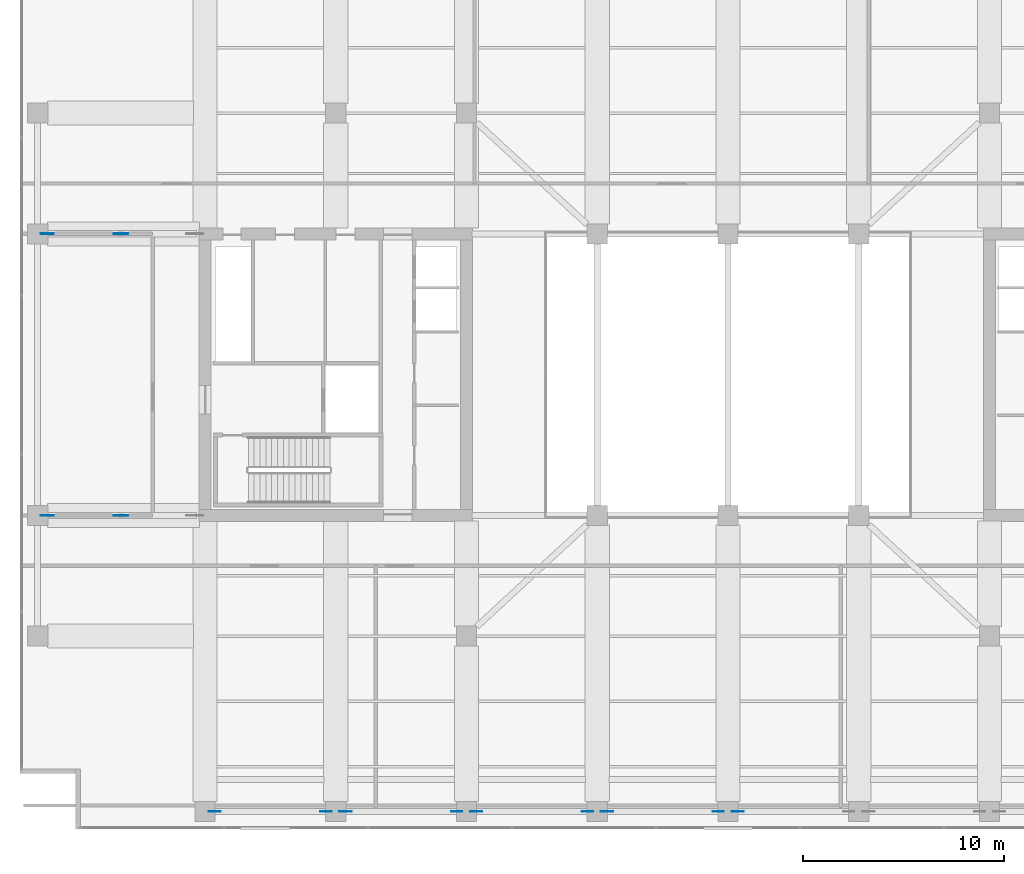
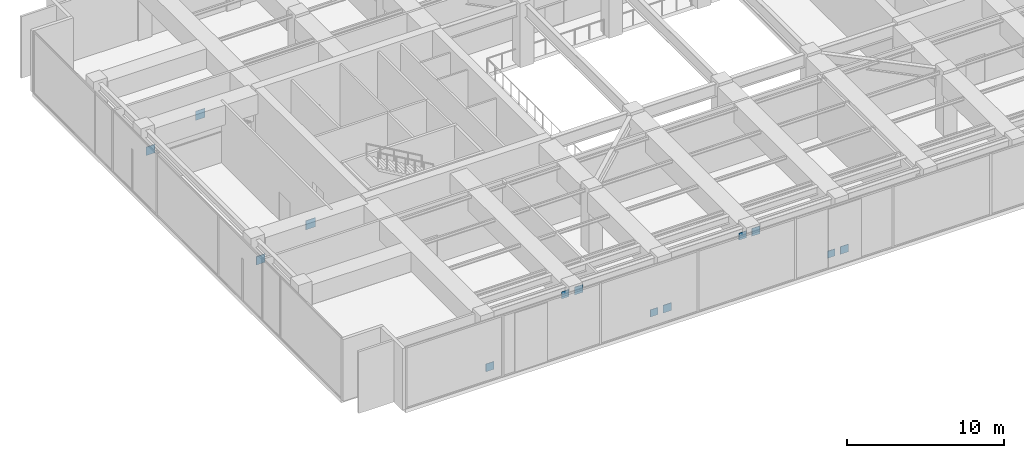
# One storey, part 18 of 28: 13 plates.
"""IFC4 building model written with IfcOpenShell, lengths in metres."""

from ifc_helpers import new_model, si_unit, direction, frame, origin, origin_2d, place, context, subcontext, project, spatial, rectangle, extrude, material, layer, layer_set, type_object, element, save


model = new_model("IFC4")

# Units and contexts
model_context = context("Model", 3, precision=1e-05, world=origin(), true_north=direction((0.0, 1.0)))
body_context = subcontext(model_context, "Body", "Model", "MODEL_VIEW")
ifc_project = project(units=[si_unit("LENGTHUNIT", "METRE"), si_unit("AREAUNIT", "SQUARE_METRE"), si_unit("VOLUMEUNIT", "CUBIC_METRE"), si_unit("PLANEANGLEUNIT", "RADIAN"), si_unit("MASSUNIT", "GRAM", prefix="KILO")], contexts=[model_context])

# Site, building, storey
site_placement = place(None, origin())
site = spatial("IfcSite", under=ifc_project, at=site_placement, CompositionType="ELEMENT")
building_placement = place(site_placement, origin())
building = spatial("IfcBuilding", under=site, at=building_placement, Name="Putna Gate Headquarters", CompositionType="ELEMENT")
storey_placement = place(building_placement, frame((0.0, 0.0, 197.39990234375)))
storey = spatial("IfcBuildingStorey", under=building, at=storey_placement, Name="L49", CompositionType="ELEMENT", Elevation=197.39990234375)

# Plates
ifc_material = material(Name="Steel S460M", Category="steel")
ifc_layer_1 = layer(ifc_material, 0.035888671875)
ifc_layer_set_1 = layer_set([ifc_layer_1], Name="Steel S460M")
plate_type_1 = type_object("IfcPlateType", Name="PLT-NODE-BN1", PredefinedType="SHEET", material=ifc_layer_set_1)
for number, where, z_axis, x_axis, name in (
    (1, (13.485107421875, 4.280029296875, 0.150146484375), (0.0, 0.0, 1.0), (1.0, 0.0, 0.0), "L49 Belt Truss Node Gusset Plate S1-E1"),
    (2, (19.985107421875, 4.280029296875, 3.830078125), (0.0, 0.0, 1.0), (1.0, 0.0, 0.0), "L49 Belt Truss Node Gusset Plate S2-E1"),
    (3, (26.485107421875, 4.280029296875, 0.150146484375), (0.0, 0.0, 1.0), (1.0, 0.0, 0.0), "L49 Belt Truss Node Gusset Plate S3-E1"),
    (4, (32.985107421875, 4.280029296875, 3.830078125), (0.0, 0.0, 1.0), (1.0, 0.0, 0.0), "L49 Belt Truss Node Gusset Plate S4-E1"),
    (5, (39.485107421875, 4.280029296875, 0.150146484375), (0.0, 0.0, 1.0), (1.0, 0.0, 0.0), "L49 Belt Truss Node Gusset Plate S5-E1"),
):
    element("IfcPlate", number, at=place(storey_placement, frame(where, z_axis=z_axis, x_axis=x_axis)), inside=storey, type_object=plate_type_1, Name=name, PredefinedType="SHEET", context=body_context, shape_type="SweptSolid", body=[
        extrude(rectangle(XDim=0.60009765625, YDim=0.035888671875, at=origin_2d()), origin(), (0.0, 0.0, 1.0), 0.60009765625),
    ])
ifc_layer_2 = layer(ifc_material, 0.035888671875)
ifc_layer_set_2 = layer_set([ifc_layer_2], Name="Steel S460M")
plate_type_2 = type_object("IfcPlateType", Name="PLT-NODE-BN2", PredefinedType="SHEET", material=ifc_layer_set_2)
for number, where, z_axis, x_axis, name in (
    (6, (19.014892578125, 4.280029296875, 3.85498046875), (0.0, 0.0, 1.0), (1.0, 0.0, 0.0), "L49 Belt Truss Node Gusset Plate S1-E2"),
    (7, (25.514892578125, 4.280029296875, 0.17529296875), (0.0, 0.0, 1.0), (1.0, 0.0, 0.0), "L49 Belt Truss Node Gusset Plate S2-E2"),
    (8, (32.014892578125, 4.280029296875, 3.85498046875), (0.0, 0.0, 1.0), (1.0, 0.0, 0.0), "L49 Belt Truss Node Gusset Plate S3-E2"),
    (9, (38.514892578125, 4.280029296875, 0.17529296875), (0.0, 0.0, 1.0), (1.0, 0.0, 0.0), "L49 Belt Truss Node Gusset Plate S4-E2"),
):
    element("IfcPlate", number, at=place(storey_placement, frame(where, z_axis=z_axis, x_axis=x_axis)), inside=storey, type_object=plate_type_2, Name=name, PredefinedType="SHEET", context=body_context, shape_type="SweptSolid", body=[
        extrude(rectangle(XDim=0.550048828125, YDim=0.035888671875, at=origin_2d()), origin(), (0.0, 0.0, 1.0), 0.550048828125),
    ])
ifc_layer_3 = layer(ifc_material, 0.0400390625)
ifc_layer_set_3 = layer_set([ifc_layer_3], Name="Steel S460M")
plate_type_3 = type_object("IfcPlateType", Name="PLT-NODE-ON2", PredefinedType="SHEET", material=ifc_layer_set_3)
for number, where, z_axis, x_axis, name in (
    (10, (8.822509765625, 19.0, 3.8798828125), (0.0, 0.0, 1.0), (1.0, 0.0, 0.0), "L49 Outrigger Node Plate ON2 WS"),
    (11, (8.822509765625, 33.0, 3.8798828125), (0.0, 0.0, 1.0), (1.0, 0.0, 0.0), "L49 Outrigger Node Plate ON2 WN"),
):
    element("IfcPlate", number, at=place(storey_placement, frame(where, z_axis=z_axis, x_axis=x_axis)), inside=storey, type_object=plate_type_3, Name=name, PredefinedType="SHEET", context=body_context, shape_type="SweptSolid", body=[
        extrude(rectangle(XDim=0.699951171875, YDim=0.0400390625, at=origin_2d()), origin(), (0.0, 0.0, 1.0), 0.699951171875),
    ])
ifc_layer_4 = layer(ifc_material, 0.0400390625)
ifc_layer_set_4 = layer_set([ifc_layer_4], Name="Steel S460M")
plate_type_4 = type_object("IfcPlateType", Name="PLT-NODE-ON3", PredefinedType="SHEET", material=ifc_layer_set_4)
for number, where, z_axis, x_axis, name in (
    (12, (5.1650390625, 19.0, 2.425048828125), (0.0, 0.0, 1.0), (1.0, 0.0, 0.0), "L49 Outrigger Node Plate ON3 WS"),
    (13, (5.1650390625, 33.0, 2.425048828125), (0.0, 0.0, 1.0), (1.0, 0.0, 0.0), "L49 Outrigger Node Plate ON3 WN"),
):
    element("IfcPlate", number, at=place(storey_placement, frame(where, z_axis=z_axis, x_axis=x_axis)), inside=storey, type_object=plate_type_4, Name=name, PredefinedType="SHEET", context=body_context, shape_type="SweptSolid", body=[
        extrude(rectangle(XDim=0.64990234375, YDim=0.0400390625, at=origin_2d()), origin(), (0.0, 0.0, 1.0), 0.64990234375),
    ])

save(model, "model.ifc")
